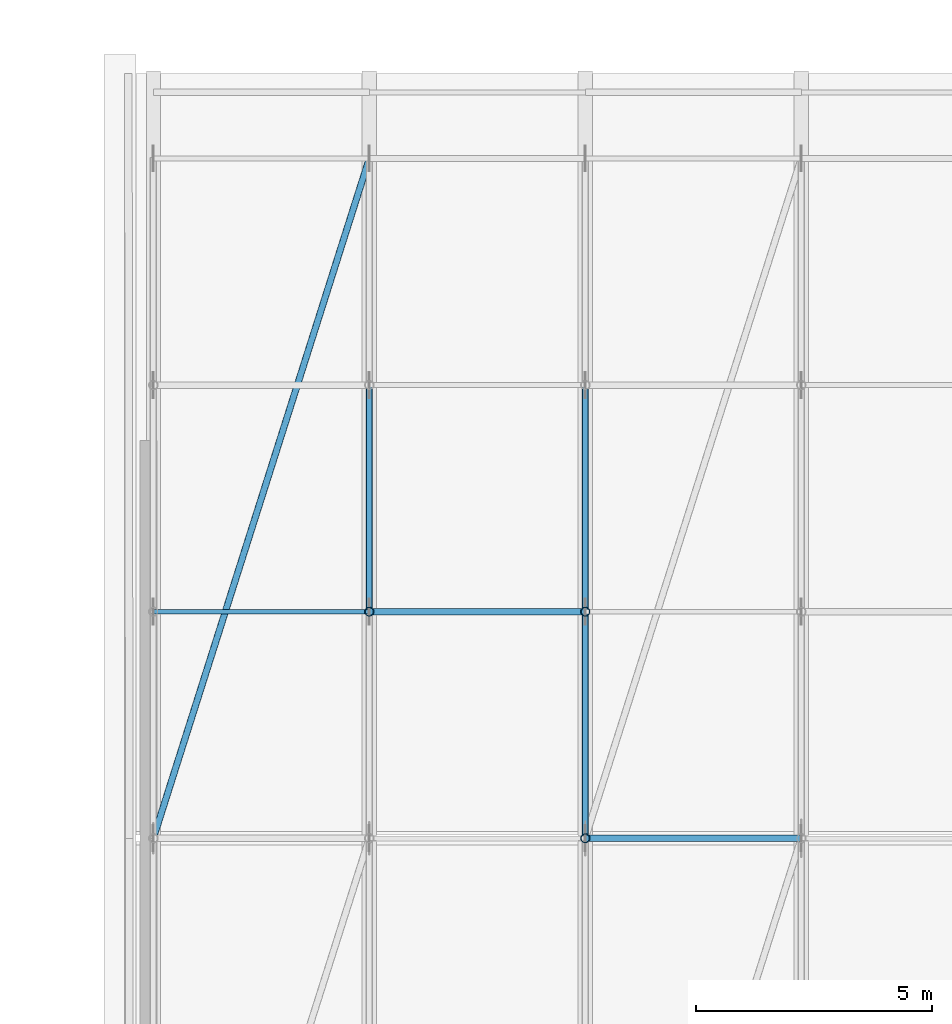
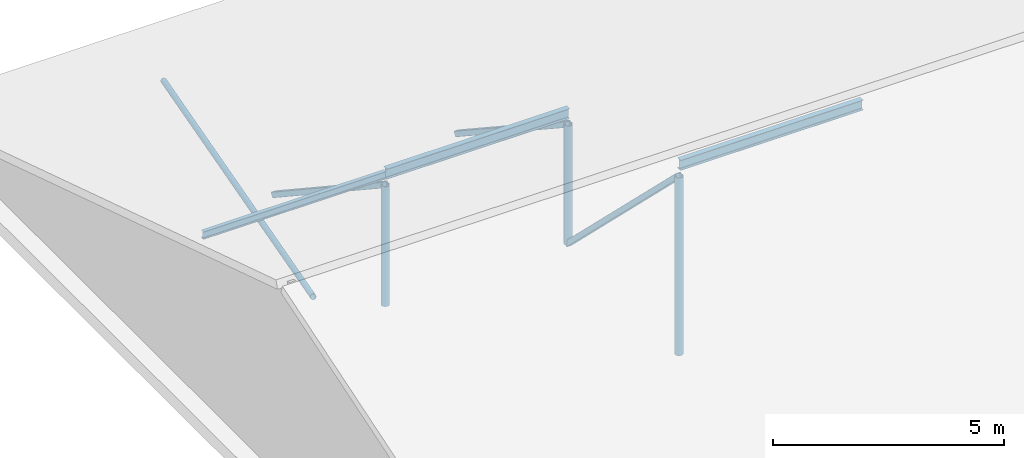
# One storey, part 27 of 134: 10 members.
"""IFC4 building model written with IfcOpenShell, lengths in metres."""

from ifc_helpers import new_model, si_unit, direction, frame, origin, origin_2d, place, context, subcontext, project, spatial, hollow_rectangle, hollow_circle, i_section, extrude, material, material_profile, profile_set, type_object, element, save


model = new_model("IFC4")

# Units and contexts
model_context = context("Model", 3, precision=1e-05, world=origin(), true_north=direction((0.0, 1.0)))
body_context = subcontext(model_context, "Body", "Model", "MODEL_VIEW")
ifc_project = project(units=[si_unit("LENGTHUNIT", "METRE"), si_unit("AREAUNIT", "SQUARE_METRE"), si_unit("VOLUMEUNIT", "CUBIC_METRE"), si_unit("PLANEANGLEUNIT", "RADIAN"), si_unit("MASSUNIT", "GRAM", prefix="KILO")], contexts=[model_context])

# Site, building, storey
site_placement = place(None, origin())
site = spatial("IfcSite", under=ifc_project, at=site_placement, CompositionType="ELEMENT")
building_placement = place(site_placement, origin())
building = spatial("IfcBuilding", under=site, at=building_placement, Name="Asteropetra Specialist Clinic", CompositionType="ELEMENT")
storey_placement = place(building_placement, frame((0.0, 0.0, 8.5)))
storey = spatial("IfcBuildingStorey", under=building, at=storey_placement, Name="L02", CompositionType="ELEMENT", Elevation=8.5)

# Members
ifc_material_1 = material(Name="Steel S355", Category="steel")
ifc_material_profile_1 = material_profile(ifc_material_1, hollow_circle(Radius=0.06982421875, WallThickness=0.008056640625, at=origin_2d()), Name="CHS 139.7x8.0")
ifc_profile_set_1 = profile_set([ifc_material_profile_1], Name="Steel S355")
member_type_1 = type_object("IfcMemberType", Name="TR-BRC-CHS139", PredefinedType="BRACE", material=ifc_profile_set_1)
member_1_placement = place(storey_placement, frame((77.25, 48.0, 5.06689453125), z_axis=(0.289546241841, 0.911362209096, -0.29254383888), x_axis=(-0.953056414042, 0.302792786659, 0.0)))
element("IfcMember", 1, at=member_1_placement, inside=storey, type_object=member_type_1, Name="Roof Wind Brace TRV3-RB2-01", PredefinedType="BRACE", context=body_context, shape_type="SweptSolid", body=[
    extrude(hollow_circle(Radius=0.06982421875, WallThickness=0.008056640625, at=origin_2d()), origin(), (0.0, 0.0, 1.0), 15.800537109375),
])
ifc_material_2 = material(Name="Steel S355", Category="steel")
ifc_material_profile_2 = material_profile(ifc_material_2, hollow_rectangle(XDim=0.139892578125, YDim=0.139892578125, WallThickness=0.008056640625, InnerFilletRadius=0.008056640625, OuterFilletRadius=0.01611328125, at=origin_2d()), Name="SHS 140x140x8.0")
ifc_profile_set_2 = profile_set([ifc_material_profile_2], Name="Steel S355")
member_type_2 = type_object("IfcMemberType", Name="TR-BRC-SHS140", PredefinedType="BRACE", material=ifc_profile_set_2)
member_2_placement = place(storey_placement, frame((81.824951171875, 52.800048828125, 3.526123046875), z_axis=(0.0, 0.834360763343, -0.551218755662), x_axis=(-1.0, 0.0, 0.0)))
element("IfcMember", 2, at=member_2_placement, inside=storey, type_object=member_type_2, Name="Truss Web Diagonal TRV3-D02-4", PredefinedType="BRACE", context=body_context, shape_type="SweptSolid", body=[
    extrude(hollow_rectangle(XDim=0.139892578125, YDim=0.139892578125, WallThickness=0.008056640625, InnerFilletRadius=0.008056640625, OuterFilletRadius=0.01611328125, at=origin_2d()), origin(), (0.0, 0.0, 1.0), 5.7529296875),
])
member_3_placement = place(storey_placement, frame((86.39990234375, 48.0, 5.06689453125), z_axis=(0.0, 0.714372296444, -0.699765833743), x_axis=(-1.0, 0.0, 0.0)))
element("IfcMember", 3, at=member_3_placement, inside=storey, type_object=member_type_2, Name="Truss Web Diagonal TRV3-D03-3", PredefinedType="BRACE", context=body_context, shape_type="SweptSolid", body=[
    extrude(hollow_rectangle(XDim=0.139892578125, YDim=0.139892578125, WallThickness=0.008056640625, InnerFilletRadius=0.008056640625, OuterFilletRadius=0.01611328125, at=origin_2d()), origin(), (0.0, 0.0, 1.0), 6.71923828125),
])
member_4_placement = place(storey_placement, frame((86.39990234375, 52.800048828125, 3.526123046875), z_axis=(0.0, 0.835160870884, -0.550005745192), x_axis=(-1.0, 0.0, 0.0)))
element("IfcMember", 4, at=member_4_placement, inside=storey, type_object=member_type_2, Name="Truss Web Diagonal TRV3-D03-4", PredefinedType="BRACE", context=body_context, shape_type="SweptSolid", body=[
    extrude(hollow_rectangle(XDim=0.139892578125, YDim=0.139892578125, WallThickness=0.008056640625, InnerFilletRadius=0.008056640625, OuterFilletRadius=0.01611328125, at=origin_2d()), origin(), (0.0, 0.0, 1.0), 5.74755859375),
])
ifc_material_3 = material(Name="Steel S355", Category="steel")
ifc_material_profile_3 = material_profile(ifc_material_3, i_section(OverallWidth=0.10009765625, OverallDepth=0.199951171875, WebThickness=0.005615234375, FlangeThickness=0.008544921875, FilletRadius=0.011962890625, at=origin_2d()), Name="IPE 200")
ifc_profile_set_3 = profile_set([ifc_material_profile_3], Name="Steel S355")
member_type_3 = type_object("IfcMemberType", Name="TR-PUR-IPE200", PredefinedType="PURLIN", material=ifc_profile_set_3)
member_5_placement = place(storey_placement, frame((77.25, 52.800048828125, 3.796142578125), z_axis=(1.0, 0.0, 0.0), x_axis=(0.0, 1.0, 0.0)))
element("IfcMember", 5, at=member_5_placement, inside=storey, type_object=member_type_3, Name="Roof Purlin TRV3-P01-06", PredefinedType="PURLIN", context=body_context, shape_type="SweptSolid", body=[
    extrude(i_section(OverallWidth=0.10009765625, OverallDepth=0.199951171875, WebThickness=0.005615234375, FlangeThickness=0.008544921875, FilletRadius=0.011962890625, at=origin_2d()), origin(), (0.0, 0.0, 1.0), 4.574951171875),
])
ifc_material_4 = material(Name="Steel S355", Category="steel")
ifc_material_profile_4 = material_profile(ifc_material_4, i_section(OverallWidth=0.135009765625, OverallDepth=0.27001953125, WebThickness=0.006591796875, FlangeThickness=0.01025390625, FilletRadius=0.014892578125, at=origin_2d()), Name="IPE 270")
ifc_profile_set_4 = profile_set([ifc_material_profile_4], Name="Steel S355")
member_type_4 = type_object("IfcMemberType", Name="TR-PUR-IPE270", PredefinedType="PURLIN", material=ifc_profile_set_4)
member_6_placement = place(storey_placement, frame((81.824951171875, 52.800048828125, 3.8310546875), z_axis=(1.0, 0.0, 0.0), x_axis=(0.0, 1.0, 0.0)))
element("IfcMember", 6, at=member_6_placement, inside=storey, type_object=member_type_4, Name="Roof Purlin TRV3-P02-06", PredefinedType="PURLIN", context=body_context, shape_type="SweptSolid", body=[
    extrude(i_section(OverallWidth=0.135009765625, OverallDepth=0.27001953125, WebThickness=0.006591796875, FlangeThickness=0.01025390625, FilletRadius=0.014892578125, at=origin_2d()), origin(), (0.0, 0.0, 1.0), 4.574951171875),
])
member_7_placement = place(storey_placement, frame((86.39990234375, 48.0, 5.371826171875), z_axis=(1.0, 0.0, 0.0), x_axis=(0.0, 1.0, 0.0)))
element("IfcMember", 7, at=member_7_placement, inside=storey, type_object=member_type_4, Name="Roof Purlin TRV3-P03-05", PredefinedType="PURLIN", context=body_context, shape_type="SweptSolid", body=[
    extrude(i_section(OverallWidth=0.135009765625, OverallDepth=0.27001953125, WebThickness=0.006591796875, FlangeThickness=0.01025390625, FilletRadius=0.014892578125, at=origin_2d()), origin(), (0.0, 0.0, 1.0), 4.5751953125),
])
ifc_material_5 = material(Name="Steel S355", Category="steel")
ifc_material_profile_5 = material_profile(ifc_material_5, hollow_circle(Radius=0.096923828125, WallThickness=0.010009765625, at=origin_2d()), Name="CHS 193.7x10.0")
ifc_profile_set_5 = profile_set([ifc_material_profile_5], Name="Steel S355")
member_type_5 = type_object("IfcMemberType", Name="TR-STR-CHS193", PredefinedType="STRUT", material=ifc_profile_set_5)
member_8_placement = place(storey_placement, frame((81.824951171875, 52.800048828125, 0.35498046875), z_axis=(0.0, 0.0, 1.0), x_axis=(1.0, 0.0, 0.0)))
element("IfcMember", 8, at=member_8_placement, inside=storey, type_object=member_type_5, Name="Truss Web Strut TRV3-V02-4", PredefinedType="STRUT", context=body_context, shape_type="SweptSolid", body=[
    extrude(hollow_circle(Radius=0.096923828125, WallThickness=0.010009765625, at=origin_2d()), origin(), (0.0, 0.0, 1.0), 3.171142578125),
])
member_9_placement = place(storey_placement, frame((86.39990234375, 48.0, 0.364990234375), z_axis=(0.0, 0.0, 1.0), x_axis=(1.0, 0.0, 0.0)))
element("IfcMember", 9, at=member_9_placement, inside=storey, type_object=member_type_5, Name="Truss Web Strut TRV3-V03-3", PredefinedType="STRUT", context=body_context, shape_type="SweptSolid", body=[
    extrude(hollow_circle(Radius=0.096923828125, WallThickness=0.010009765625, at=origin_2d()), origin(), (0.0, 0.0, 1.0), 4.701904296875),
])
member_10_placement = place(storey_placement, frame((86.39990234375, 52.800048828125, 0.364990234375), z_axis=(0.0, 0.0, 1.0), x_axis=(1.0, 0.0, 0.0)))
element("IfcMember", 10, at=member_10_placement, inside=storey, type_object=member_type_5, Name="Truss Web Strut TRV3-V03-4", PredefinedType="STRUT", context=body_context, shape_type="SweptSolid", body=[
    extrude(hollow_circle(Radius=0.096923828125, WallThickness=0.010009765625, at=origin_2d()), origin(), (0.0, 0.0, 1.0), 3.1611328125),
])

save(model, "model.ifc")
